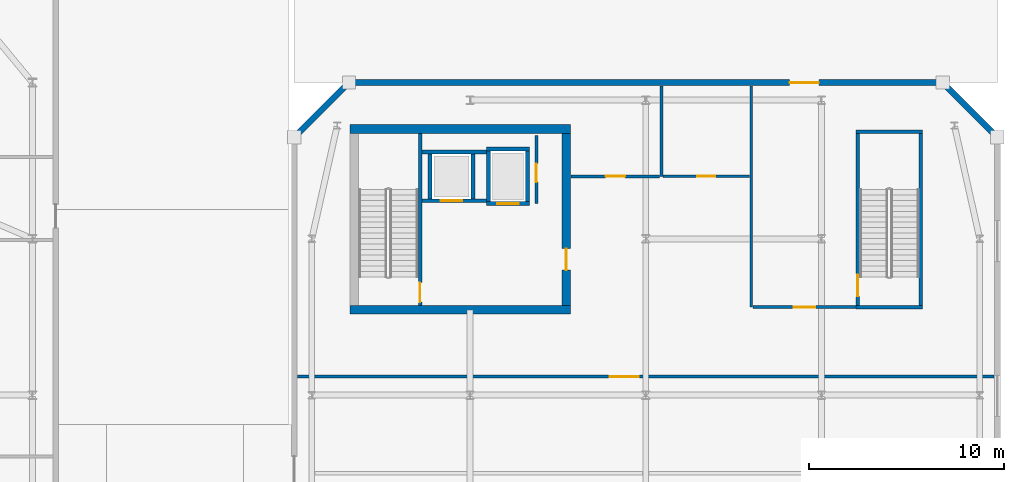
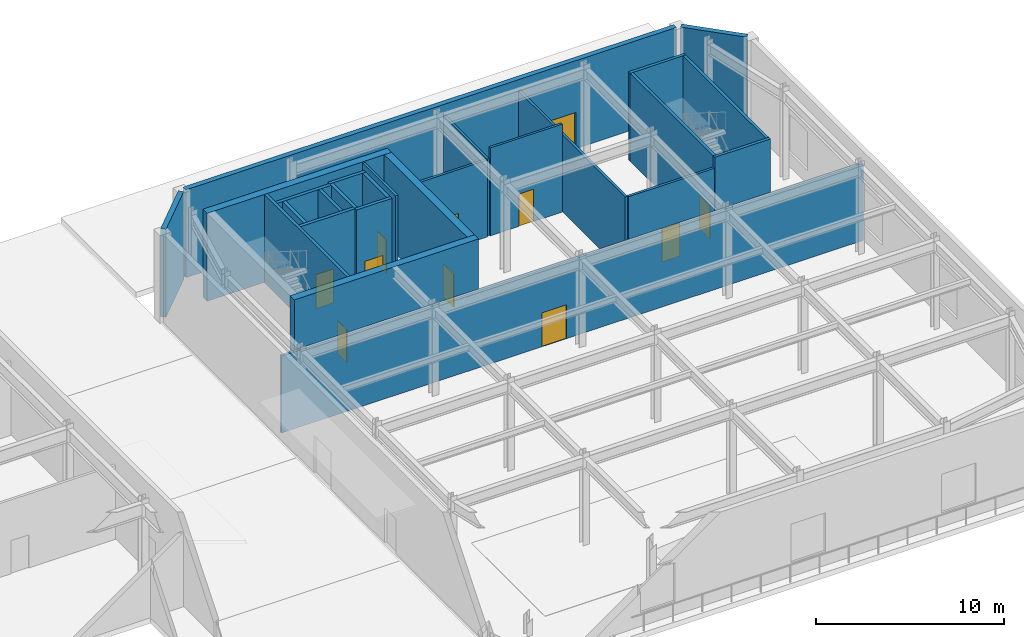
# One storey, part 15 of 23: 26 walls, 11 doors, 11 openings.
"""IFC4 building model written with IfcOpenShell, lengths in metres."""

from ifc_helpers import new_model, si_unit, direction, frame, frame_2d, origin, place, context, subcontext, project, spatial, rectangle, extrude, material, layer, layer_set, type_object, element, fill, save


model = new_model("IFC4")

# Units and contexts
model_context = context("Model", 3, precision=1e-05, world=origin(), true_north=direction((0.0, 1.0)))
body_context = subcontext(model_context, "Body", "Model", "MODEL_VIEW")
ifc_project = project(units=[si_unit("LENGTHUNIT", "METRE"), si_unit("AREAUNIT", "SQUARE_METRE"), si_unit("VOLUMEUNIT", "CUBIC_METRE"), si_unit("PLANEANGLEUNIT", "RADIAN"), si_unit("MASSUNIT", "GRAM", prefix="KILO")], contexts=[model_context])

# Site, building, storey
site_placement = place(None, origin())
site = spatial("IfcSite", under=ifc_project, at=site_placement, CompositionType="ELEMENT")
building_placement = place(site_placement, origin())
building = spatial("IfcBuilding", under=site, at=building_placement, Name="Saevonmaru Cultural Tower", CompositionType="ELEMENT")
storey_placement = place(building_placement, origin())
storey = spatial("IfcBuildingStorey", under=building, at=storey_placement, Name="L00", CompositionType="ELEMENT", Elevation=0.0)

# Wall, opening, door
ifc_material_1 = material(Name="Gypsum Fireboard Partition", Category="gypsum")
ifc_layer_1 = layer(ifc_material_1, 0.14990234375, Name="Gypsum Fireboard Partition")
ifc_layer_set_1 = layer_set([ifc_layer_1], Name="Gypsum Fireboard Partition")
wall_type_1 = type_object("IfcWallType", Name="WL-CORE-PART-150", PredefinedType="PARTITIONING", material=ifc_layer_set_1)
wall_1_placement = place(storey_placement, frame((84.60009765625, 41.800048828125, 0.0), z_axis=(0.0, 0.0, 1.0), x_axis=(0.0, 1.0, 0.0)))
wall_1 = element("IfcWall", 1, at=wall_1_placement, inside=storey, type_object=wall_type_1, Name="L00 Library Core Riser Wall", PredefinedType="PARTITIONING", context=body_context, shape_type="SweptSolid", body=[
    extrude(rectangle(XDim=3.5, YDim=0.14990234375, at=frame_2d((1.75, 0.0))), origin(), (0.0, 0.0, 1.0), 5.699951171875),
])
opening_1_placement = place(wall_1_placement, frame((1.10009765625, 0.0, 0.0)))
opening_1 = element("IfcOpeningElement", 2, at=opening_1_placement, cuts=wall_1, Name="Opening FD-4", PredefinedType="OPENING", context=body_context, shape_type="SweptSolid", body=[
    extrude(rectangle(XDim=0.949951171875, YDim=2.14990234375, at=frame_2d((0.47509765625, 1.074951171875))), frame((0.0, 0.0849609375, 0.0), z_axis=(0.0, -1.0, 0.0), x_axis=(1.0, 0.0, 0.0)), (0.0, 0.0, 1.0), 0.169921875),
])
ifc_material_2 = material(Name="Satin Bronze Anodised Aluminium", Category="aluminium")
door_type_1 = type_object("IfcDoorType", Name="DR-FD60-950", OperationType="SINGLE_SWING_LEFT", PredefinedType="DOOR", material=ifc_material_2)
door_1_placement = place(opening_1_placement, origin())
door_1 = element("IfcDoor", 3, at=door_1_placement, inside=storey, type_object=door_type_1, Name="L00 Library Core Riser Plant Door", OperationType="SINGLE_SWING_LEFT", OverallHeight=2.14990234375, OverallWidth=0.949951171875, PredefinedType="DOOR", context=body_context, shape_type="SweptSolid", body=[
    extrude(rectangle(XDim=0.949951171875, YDim=2.14990234375, at=frame_2d((0.47509765625, 1.074951171875))), frame((0.0, 0.02490234375, 0.0), z_axis=(0.0, -1.0, 0.0), x_axis=(1.0, 0.0, 0.0)), (0.0, 0.0, 1.0), 0.050048828125),
])
fill(opening_1, door_1)

# Wall
ifc_material_3 = material(Name="Warm Limestone Precast Concrete C40/50", Category="masonry")
ifc_layer_2 = layer(ifc_material_3, 0.300048828125, Name="Warm Limestone Precast Concrete C40/50")
ifc_layer_set_2 = layer_set([ifc_layer_2], Name="Warm Limestone Precast Concrete C40/50")
wall_type_2 = type_object("IfcWallType", Name="WL-EXT-LIB-300", PredefinedType="STANDARD", material=ifc_layer_set_2)
wall_2_placement = place(storey_placement, frame((105.51318359375, 47.886962890625, 0.0), z_axis=(0.0, 0.0, 1.0), x_axis=(0.707073244381, -0.707140316402, 0.0)))
element("IfcWall", 4, at=wall_2_placement, inside=storey, type_object=wall_type_2, Name="L00 Central Library Fluted Stone Wall E5", PredefinedType="STANDARD", context=body_context, shape_type="SweptSolid", body=[
    extrude(rectangle(XDim=3.639892578125, YDim=0.300048828125, at=frame_2d((1.81982421875, 0.0))), origin(), (0.0, 0.0, 1.0), 5.699951171875),
])

# Wall, opening, door
wall_3_placement = place(storey_placement, frame((75.159912109375, 48.0, 0.0), z_axis=(0.0, 0.0, 1.0), x_axis=(1.0, 0.0, 0.0)))
wall_3 = element("IfcWall", 5, at=wall_3_placement, inside=storey, type_object=wall_type_2, Name="L00 Central Library Fluted Stone Wall E6", PredefinedType="STANDARD", context=body_context, shape_type="SweptSolid", body=[
    extrude(rectangle(XDim=30.080078125, YDim=0.300048828125, at=frame_2d((15.0400390625, 0.0))), origin(), (0.0, 0.0, 1.0), 5.699951171875),
])
opening_2_placement = place(wall_3_placement, frame((22.39990234375, 0.0, 0.0)))
opening_2 = element("IfcOpeningElement", 6, at=opening_2_placement, cuts=wall_3, Name="Opening EXD-1B", PredefinedType="OPENING", context=body_context, shape_type="SweptSolid", body=[
    extrude(rectangle(XDim=1.5, YDim=2.35009765625, at=frame_2d((0.75, 1.175048828125))), frame((0.0, 0.16015625, 0.0), z_axis=(0.0, -1.0, 0.0), x_axis=(1.0, 0.0, 0.0)), (0.0, 0.0, 1.0), 0.320068359375),
])
door_type_2 = type_object("IfcDoorType", Name="DR-EXIT-1500", OperationType="DOUBLE_DOOR_SINGLE_SWING", PredefinedType="DOOR", material=ifc_material_2)
door_2_placement = place(opening_2_placement, origin())
door_2 = element("IfcDoor", 7, at=door_2_placement, inside=storey, type_object=door_type_2, Name="Central Library North Forecourt Exit Door EX-07", OperationType="DOUBLE_DOOR_SINGLE_SWING", OverallHeight=2.35009765625, OverallWidth=1.5, PredefinedType="DOOR", context=body_context, shape_type="SweptSolid", body=[
    extrude(rectangle(XDim=1.5, YDim=2.35009765625, at=frame_2d((0.75, 1.175048828125))), frame((0.0, 0.02490234375, 0.0), z_axis=(0.0, -1.0, 0.0), x_axis=(1.0, 0.0, 0.0)), (0.0, 0.0, 1.0), 0.050048828125),
])
fill(opening_2, door_2)

# Walls
wall_4_placement = place(storey_placement, frame((72.31298828125, 45.31298828125, 0.0), z_axis=(0.0, 0.0, 1.0), x_axis=(0.707106781187, 0.707106781187, 0.0)))
element("IfcWall", 8, at=wall_4_placement, inside=storey, type_object=wall_type_2, Name="L00 Central Library Fluted Stone Wall E7", PredefinedType="STANDARD", context=body_context, shape_type="SweptSolid", body=[
    extrude(rectangle(XDim=3.64013671875, YDim=0.300048828125, at=frame_2d((1.820068359375, 0.0))), origin(), (0.0, 0.0, 1.0), 5.699951171875),
])
ifc_material_4 = material(Name="Concrete C50/60", Category="concrete")
ifc_layer_3 = layer(ifc_material_4, 0.449951171875, Name="Concrete C50/60")
ifc_layer_set_3 = layer_set([ifc_layer_3], Name="Concrete C50/60")
wall_type_3 = type_object("IfcWallType", Name="WL-LCORE-450", PredefinedType="SHEAR", material=ifc_layer_set_3)
for number, where, z_axis, x_axis, name in (
    (9, (75.050048828125, 36.375, 0.0), (0.0, 0.0, 1.0), (1.0, 0.0, 0.0), "L00 Central Library RC core shear wall S"),
    (10, (75.050048828125, 45.625, 0.0), (0.0, 0.0, 1.0), (1.0, 0.0, 0.0), "L00 Central Library RC core shear wall N"),
):
    element("IfcWall", number, at=place(storey_placement, frame(where, z_axis=z_axis, x_axis=x_axis)), inside=storey, type_object=wall_type_3, Name=name, PredefinedType="SHEAR", context=body_context, shape_type="SweptSolid", body=[
        extrude(rectangle(XDim=11.300048828125, YDim=0.449951171875, at=frame_2d((5.64990234375, 0.0))), origin(), (0.0, 0.0, 1.0), 5.699951171875),
    ])

# Wall, opening, door
wall_5_placement = place(storey_placement, frame((86.125, 36.60009765625, 0.0), z_axis=(0.0, 0.0, 1.0), x_axis=(0.0, 1.0, 0.0)))
wall_5 = element("IfcWall", 11, at=wall_5_placement, inside=storey, type_object=wall_type_3, Name="L00 Central Library RC core shear wall E", PredefinedType="SHEAR", context=body_context, shape_type="SweptSolid", body=[
    extrude(rectangle(XDim=8.7998046875, YDim=0.449951171875, at=frame_2d((4.39990234375, 0.0))), origin(), (0.0, 0.0, 1.0), 5.699951171875),
])
opening_3_placement = place(wall_5_placement, frame((1.800048828125, 0.0, 0.0)))
opening_3 = element("IfcOpeningElement", 12, at=opening_3_placement, cuts=wall_5, Name="Opening FD-2", PredefinedType="OPENING", context=body_context, shape_type="SweptSolid", body=[
    extrude(rectangle(XDim=1.10009765625, YDim=2.14990234375, at=frame_2d((0.550048828125, 1.074951171875))), frame((0.0, 0.23486328125, 0.0), z_axis=(0.0, -1.0, 0.0), x_axis=(1.0, 0.0, 0.0)), (0.0, 0.0, 1.0), 0.469970703125),
])
door_type_3 = type_object("IfcDoorType", Name="DR-FD60-1100", OperationType="SINGLE_SWING_LEFT", PredefinedType="DOOR", material=ifc_material_2)
door_3_placement = place(opening_3_placement, origin())
door_3 = element("IfcDoor", 13, at=door_3_placement, inside=storey, type_object=door_type_3, Name="L00 Library Core Lobby Fire Door", OperationType="SINGLE_SWING_LEFT", OverallHeight=2.14990234375, OverallWidth=1.10009765625, PredefinedType="DOOR", context=body_context, shape_type="SweptSolid", body=[
    extrude(rectangle(XDim=1.10009765625, YDim=2.14990234375, at=frame_2d((0.550048828125, 1.074951171875))), frame((0.0, 0.02490234375, 0.0), z_axis=(0.0, -1.0, 0.0), x_axis=(1.0, 0.0, 0.0)), (0.0, 0.0, 1.0), 0.050048828125),
])
fill(opening_3, door_3)

ifc_layer_4 = layer(ifc_material_1, 0.14990234375, Name="Gypsum Fireboard Partition")
ifc_layer_set_4 = layer_set([ifc_layer_4], Name="Gypsum Fireboard Partition")
wall_type_4 = type_object("IfcWallType", Name="WL-PART-FIRE-150", PredefinedType="PARTITIONING", material=ifc_layer_set_4)
wall_6_placement = place(storey_placement, frame((72.3701171875, 32.949951171875, 0.0), z_axis=(0.0, 0.0, 1.0), x_axis=(1.0, 0.0, 0.0)))
wall_6 = element("IfcWall", 14, at=wall_6_placement, inside=storey, type_object=wall_type_4, Name="L00 Library Reading Hall North Wall", PredefinedType="PARTITIONING", context=body_context, shape_type="SweptSolid", body=[
    extrude(rectangle(XDim=35.659912109375, YDim=0.14990234375, at=frame_2d((17.830078125, 0.0))), origin(), (0.0, 0.0, 1.0), 4.985107421875),
])
opening_4_placement = place(wall_6_placement, frame((15.97998046875, 0.0, 0.0)))
opening_4 = element("IfcOpeningElement", 15, at=opening_4_placement, cuts=wall_6, Name="Opening ID-0", PredefinedType="OPENING", context=body_context, shape_type="SweptSolid", body=[
    extrude(rectangle(XDim=1.5, YDim=2.199951171875, at=frame_2d((0.75, 1.10009765625))), frame((0.0, 0.0849609375, 0.0), z_axis=(0.0, -1.0, 0.0), x_axis=(1.0, 0.0, 0.0)), (0.0, 0.0, 1.0), 0.169921875),
])
ifc_material_5 = material(Name="Acoustic Stained Oak Timber", Category="wood")
door_type_4 = type_object("IfcDoorType", Name="DR-INT-1500", OperationType="DOUBLE_DOOR_SINGLE_SWING", PredefinedType="DOOR", material=ifc_material_5)
door_4_placement = place(opening_4_placement, origin())
door_4 = element("IfcDoor", 16, at=door_4_placement, inside=storey, type_object=door_type_4, Name="L00 Main Reading Hall Portal Door", OperationType="DOUBLE_DOOR_SINGLE_SWING", OverallHeight=2.199951171875, OverallWidth=1.5, PredefinedType="DOOR", context=body_context, shape_type="SweptSolid", body=[
    extrude(rectangle(XDim=1.5, YDim=2.199951171875, at=frame_2d((0.75, 1.10009765625))), frame((0.0, 0.02490234375, 0.0), z_axis=(0.0, -1.0, 0.0), x_axis=(1.0, 0.0, 0.0)), (0.0, 0.0, 1.0), 0.050048828125),
])
fill(opening_4, door_4)

# Wall
wall_7_placement = place(storey_placement, frame((95.60009765625, 36.510009765625, 0.0), z_axis=(0.0, 0.0, 1.0), x_axis=(0.0, 1.0, 0.0)))
element("IfcWall", 17, at=wall_7_placement, inside=storey, type_object=wall_type_4, Name="L00 Library East Exit Passageway West Wall", PredefinedType="PARTITIONING", context=body_context, shape_type="SweptSolid", body=[
    extrude(rectangle(XDim=11.320068359375, YDim=0.14990234375, at=frame_2d((5.66015625, 0.0))), origin(), (0.0, 0.0, 1.0), 4.985107421875),
])

# Wall, opening, door
wall_8_placement = place(storey_placement, frame((95.695068359375, 36.510009765625, 0.0), z_axis=(0.0, 0.0, 1.0), x_axis=(1.0, 0.0, 0.0)))
wall_8 = element("IfcWall", 18, at=wall_8_placement, inside=storey, type_object=wall_type_4, Name="L00 Library East Exit Passageway South Wall", PredefinedType="PARTITIONING", context=body_context, shape_type="SweptSolid", body=[
    extrude(rectangle(XDim=5.27490234375, YDim=0.14990234375, at=frame_2d((2.637451171875, 0.0))), origin(), (0.0, 0.0, 1.0), 4.985107421875),
])
opening_5_placement = place(wall_8_placement, frame((2.087890625, 0.0, 0.0)))
opening_5 = element("IfcOpeningElement", 19, at=opening_5_placement, cuts=wall_8, Name="Opening FD-2", PredefinedType="OPENING", context=body_context, shape_type="SweptSolid", body=[
    extrude(rectangle(XDim=1.10009765625, YDim=2.14990234375, at=frame_2d((0.550048828125, 1.074951171875))), frame((0.0, 0.0849609375, 0.0), z_axis=(0.0, -1.0, 0.0), x_axis=(1.0, 0.0, 0.0)), (0.0, 0.0, 1.0), 0.169921875),
])
door_5_placement = place(opening_5_placement, origin())
door_5 = element("IfcDoor", 20, at=door_5_placement, inside=storey, type_object=door_type_3, Name="L00 Library East Exit Passageway Vestibule Door", OperationType="SINGLE_SWING_LEFT", OverallHeight=2.14990234375, OverallWidth=1.10009765625, PredefinedType="DOOR", context=body_context, shape_type="SweptSolid", body=[
    extrude(rectangle(XDim=1.10009765625, YDim=2.14990234375, at=frame_2d((0.550048828125, 1.074951171875))), frame((0.0, 0.02490234375, 0.0), z_axis=(0.0, -1.0, 0.0), x_axis=(1.0, 0.0, 0.0)), (0.0, 0.0, 1.0), 0.050048828125),
])
fill(opening_5, door_5)

wall_9_placement = place(storey_placement, frame((86.3701171875, 43.199951171875, 0.0), z_axis=(0.0, 0.0, 1.0), x_axis=(1.0, 0.0, 0.0)))
wall_9 = element("IfcWall", 21, at=wall_9_placement, inside=storey, type_object=wall_type_4, Name="L00 Library Rare Book Room Wall", PredefinedType="PARTITIONING", context=body_context, shape_type="SweptSolid", body=[
    extrude(rectangle(XDim=4.539794921875, YDim=0.14990234375, at=frame_2d((2.27001953125, 0.0))), origin(), (0.0, 0.0, 1.0), 4.985107421875),
])
opening_6_placement = place(wall_9_placement, frame((1.77001953125, 0.0, 0.0)))
opening_6 = element("IfcOpeningElement", 22, at=opening_6_placement, cuts=wall_9, Name="Opening FD-3", PredefinedType="OPENING", context=body_context, shape_type="SweptSolid", body=[
    extrude(rectangle(XDim=1.0, YDim=2.14990234375, at=frame_2d((0.5, 1.074951171875))), frame((0.0, 0.0849609375, 0.0), z_axis=(0.0, -1.0, 0.0), x_axis=(1.0, 0.0, 0.0)), (0.0, 0.0, 1.0), 0.169921875),
])
door_type_5 = type_object("IfcDoorType", Name="DR-FD60-1000", OperationType="SINGLE_SWING_RIGHT", PredefinedType="DOOR", material=ifc_material_2)
door_6_placement = place(opening_6_placement, origin())
door_6 = element("IfcDoor", 23, at=door_6_placement, inside=storey, type_object=door_type_5, Name="L00 Rare Book Archive Door", OperationType="SINGLE_SWING_RIGHT", OverallHeight=2.14990234375, OverallWidth=1.0, PredefinedType="DOOR", context=body_context, shape_type="SweptSolid", body=[
    extrude(rectangle(XDim=1.0, YDim=2.14990234375, at=frame_2d((0.5, 1.074951171875))), frame((0.0, 0.02490234375, 0.0), z_axis=(0.0, -1.0, 0.0), x_axis=(1.0, 0.0, 0.0)), (0.0, 0.0, 1.0), 0.050048828125),
])
fill(opening_6, door_6)

# Wall
ifc_layer_5 = layer(ifc_material_1, 0.139892578125, Name="Gypsum Fireboard Partition")
ifc_layer_set_5 = layer_set([ifc_layer_5], Name="Gypsum Fireboard Partition")
wall_type_5 = type_object("IfcWallType", Name="WL-PART-WET-140", PredefinedType="PARTITIONING", material=ifc_layer_set_5)
wall_10_placement = place(storey_placement, frame((91.0, 43.199951171875, 0.0), z_axis=(0.0, 0.0, 1.0), x_axis=(0.0, 1.0, 0.0)))
element("IfcWall", 24, at=wall_10_placement, inside=storey, type_object=wall_type_5, Name="L00 Library Archive-Washroom Divider", PredefinedType="PARTITIONING", context=body_context, shape_type="SweptSolid", body=[
    extrude(rectangle(XDim=4.630126953125, YDim=0.139892578125, at=frame_2d((2.31494140625, 0.0))), origin(), (0.0, 0.0, 1.0), 4.985107421875),
])

# Wall, opening, door
wall_11_placement = place(storey_placement, frame((91.090087890625, 43.199951171875, 0.0), z_axis=(0.0, 0.0, 1.0), x_axis=(1.0, 0.0, 0.0)))
wall_11 = element("IfcWall", 25, at=wall_11_placement, inside=storey, type_object=wall_type_5, Name="L00 Library Washroom Wall", PredefinedType="PARTITIONING", context=body_context, shape_type="SweptSolid", body=[
    extrude(rectangle(XDim=4.414794921875, YDim=0.139892578125, at=frame_2d((2.20751953125, 0.0))), origin(), (0.0, 0.0, 1.0), 5.699951171875),
])
opening_7_placement = place(wall_11_placement, frame((1.757080078125, 0.0, 0.0)))
opening_7 = element("IfcOpeningElement", 26, at=opening_7_placement, cuts=wall_11, Name="Opening ID-2", PredefinedType="OPENING", context=body_context, shape_type="SweptSolid", body=[
    extrude(rectangle(XDim=0.89990234375, YDim=2.10009765625, at=frame_2d((0.449951171875, 1.050048828125))), frame((0.0, 0.080078125, 0.0), z_axis=(0.0, -1.0, 0.0), x_axis=(1.0, 0.0, 0.0)), (0.0, 0.0, 1.0), 0.159912109375),
])
door_type_6 = type_object("IfcDoorType", Name="DR-INT-900", OperationType="SINGLE_SWING_RIGHT", PredefinedType="DOOR", material=ifc_material_5)
door_7_placement = place(opening_7_placement, origin())
door_7 = element("IfcDoor", 27, at=door_7_placement, inside=storey, type_object=door_type_6, Name="L00 Library Accessible Washroom Door", OperationType="SINGLE_SWING_LEFT", OverallHeight=2.10009765625, OverallWidth=0.89990234375, PredefinedType="DOOR", context=body_context, shape_type="SweptSolid", body=[
    extrude(rectangle(XDim=0.89990234375, YDim=2.10009765625, at=frame_2d((0.449951171875, 1.050048828125))), frame((0.0, 0.02490234375, 0.0), z_axis=(0.0, -1.0, 0.0), x_axis=(1.0, 0.0, 0.0)), (0.0, 0.0, 1.0), 0.050048828125),
])
fill(opening_7, door_7)

ifc_material_6 = material(Name="Concrete C40/50", Category="concrete")
ifc_layer_6 = layer(ifc_material_6, 0.199951171875, Name="Concrete C40/50")
ifc_layer_set_6 = layer_set([ifc_layer_6], Name="Concrete C40/50")
wall_type_6 = type_object("IfcWallType", Name="WL-SHAFT-200", PredefinedType="SHEAR", material=ifc_layer_set_6)
wall_12_placement = place(storey_placement, frame((78.72998046875, 41.949951171875, 0.0), z_axis=(0.0, 0.0, 1.0), x_axis=(1.0, 0.0, 0.0)))
wall_12 = element("IfcWall", 28, at=wall_12_placement, inside=storey, type_object=wall_type_6, Name="L00 Lift LLF-1 Hoistway Wall S", PredefinedType="SHEAR", context=body_context, shape_type="SweptSolid", body=[
    extrude(rectangle(XDim=3.320068359375, YDim=0.199951171875, at=frame_2d((1.66015625, 0.0))), origin(), (0.0, 0.0, 1.0), 5.699951171875),
])
opening_8_placement = place(wall_12_placement, frame((0.969970703125, 0.0, 0.0)))
opening_8 = element("IfcOpeningElement", 29, at=opening_8_placement, cuts=wall_12, Name="Opening LD-1", PredefinedType="OPENING", context=body_context, shape_type="SweptSolid", body=[
    extrude(rectangle(XDim=1.10009765625, YDim=2.199951171875, at=frame_2d((0.550048828125, 1.10009765625))), frame((0.0, 0.10986328125, 0.0), z_axis=(0.0, -1.0, 0.0), x_axis=(1.0, 0.0, 0.0)), (0.0, 0.0, 1.0), 0.219970703125),
])
ifc_material_7 = material(Name="Satin Bronze Stainless Steel", Category="steel")
door_type_7 = type_object("IfcDoorType", Name="DR-LIFT-1100", OperationType="SLIDING_TO_LEFT", PredefinedType="DOOR", material=ifc_material_7)
door_8_placement = place(opening_8_placement, origin())
door_8 = element("IfcDoor", 30, at=door_8_placement, inside=storey, type_object=door_type_7, Name="L00 Lift LLF-1 Sliding Landing Door", OperationType="SLIDING_TO_LEFT", OverallHeight=2.199951171875, OverallWidth=1.10009765625, PredefinedType="DOOR", context=body_context, shape_type="SweptSolid", body=[
    extrude(rectangle(XDim=1.10009765625, YDim=2.199951171875, at=frame_2d((0.550048828125, 1.10009765625))), frame((0.0, 0.02490234375, 0.0), z_axis=(0.0, -1.0, 0.0), x_axis=(1.0, 0.0, 0.0)), (0.0, 0.0, 1.0), 0.050048828125),
])
fill(opening_8, door_8)

# Walls
wall_13_placement = place(storey_placement, frame((78.72998046875, 44.449951171875, 0.0), z_axis=(0.0, 0.0, 1.0), x_axis=(1.0, 0.0, 0.0)))
element("IfcWall", 31, at=wall_13_placement, inside=storey, type_object=wall_type_6, Name="L00 Lift LLF-1 Hoistway Wall N", PredefinedType="SHEAR", context=body_context, shape_type="SweptSolid", body=[
    extrude(rectangle(XDim=3.320068359375, YDim=0.199951171875, at=frame_2d((1.66015625, 0.0))), origin(), (0.0, 0.0, 1.0), 5.699951171875),
])
for number, where, z_axis, x_axis, name in (
    (32, (79.14990234375, 42.050048828125, 0.0), (0.0, 0.0, 1.0), (0.0, 1.0, 0.0), "L00 Lift LLF-1 Hoistway Wall W"),
    (33, (81.35009765625, 42.050048828125, 0.0), (0.0, 0.0, 1.0), (0.0, 1.0, 0.0), "L00 Lift LLF-1 Hoistway Wall E"),
):
    element("IfcWall", number, at=place(storey_placement, frame(where, z_axis=z_axis, x_axis=x_axis)), inside=storey, type_object=wall_type_6, Name=name, PredefinedType="SHEAR", context=body_context, shape_type="SweptSolid", body=[
        extrude(rectangle(XDim=2.300048828125, YDim=0.199951171875, at=frame_2d((1.14990234375, 0.0))), origin(), (0.0, 0.0, 1.0), 5.699951171875),
    ])

# Wall, opening, door
wall_14_placement = place(storey_placement, frame((82.050048828125, 41.800048828125, 0.0), z_axis=(0.0, 0.0, 1.0), x_axis=(1.0, 0.0, 0.0)))
wall_14 = element("IfcWall", 34, at=wall_14_placement, inside=storey, type_object=wall_type_6, Name="L00 Lift LLF-2 Hoistway Wall S", PredefinedType="SHEAR", context=body_context, shape_type="SweptSolid", body=[
    extrude(rectangle(XDim=2.199951171875, YDim=0.199951171875, at=frame_2d((1.10009765625, 0.0))), origin(), (0.0, 0.0, 1.0), 5.699951171875),
])
opening_9_placement = place(wall_14_placement, frame((0.550048828125, 0.0, 0.0)))
opening_9 = element("IfcOpeningElement", 35, at=opening_9_placement, cuts=wall_14, Name="Opening LD-1", PredefinedType="OPENING", context=body_context, shape_type="SweptSolid", body=[
    extrude(rectangle(XDim=1.10009765625, YDim=2.199951171875, at=frame_2d((0.550048828125, 1.10009765625))), frame((0.0, 0.10986328125, 0.0), z_axis=(0.0, -1.0, 0.0), x_axis=(1.0, 0.0, 0.0)), (0.0, 0.0, 1.0), 0.219970703125),
])
door_9_placement = place(opening_9_placement, origin())
door_9 = element("IfcDoor", 36, at=door_9_placement, inside=storey, type_object=door_type_7, Name="L00 Lift LLF-2 Sliding Landing Door", OperationType="SLIDING_TO_LEFT", OverallHeight=2.199951171875, OverallWidth=1.10009765625, PredefinedType="DOOR", context=body_context, shape_type="SweptSolid", body=[
    extrude(rectangle(XDim=1.10009765625, YDim=2.199951171875, at=frame_2d((0.550048828125, 1.10009765625))), frame((0.0, 0.02490234375, 0.0), z_axis=(0.0, -1.0, 0.0), x_axis=(1.0, 0.0, 0.0)), (0.0, 0.0, 1.0), 0.050048828125),
])
fill(opening_9, door_9)

# Walls
wall_15_placement = place(storey_placement, frame((82.050048828125, 44.60009765625, 0.0), z_axis=(0.0, 0.0, 1.0), x_axis=(1.0, 0.0, 0.0)))
element("IfcWall", 37, at=wall_15_placement, inside=storey, type_object=wall_type_6, Name="L00 Lift LLF-2 Hoistway Wall N", PredefinedType="SHEAR", context=body_context, shape_type="SweptSolid", body=[
    extrude(rectangle(XDim=2.199951171875, YDim=0.199951171875, at=frame_2d((1.10009765625, 0.0))), origin(), (0.0, 0.0, 1.0), 5.699951171875),
])
for number, where, z_axis, x_axis, name in (
    (38, (82.14990234375, 41.89990234375, 0.0), (0.0, 0.0, 1.0), (0.0, 1.0, 0.0), "L00 Lift LLF-2 Hoistway Wall W"),
    (39, (84.14990234375, 41.89990234375, 0.0), (0.0, 0.0, 1.0), (0.0, 1.0, 0.0), "L00 Lift LLF-2 Hoistway Wall E"),
):
    element("IfcWall", number, at=place(storey_placement, frame(where, z_axis=z_axis, x_axis=x_axis)), inside=storey, type_object=wall_type_6, Name=name, PredefinedType="SHEAR", context=body_context, shape_type="SweptSolid", body=[
        extrude(rectangle(XDim=2.60009765625, YDim=0.199951171875, at=frame_2d((1.300048828125, 0.0))), origin(), (0.0, 0.0, 1.0), 5.699951171875),
    ])

# Wall, opening, door
ifc_layer_7 = layer(ifc_material_6, 0.179931640625, Name="Concrete C40/50")
ifc_layer_set_7 = layer_set([ifc_layer_7], Name="Concrete C40/50")
wall_type_7 = type_object("IfcWallType", Name="WL-STSHAFT-180", PredefinedType="SHEAR", material=ifc_layer_set_7)
wall_16_placement = place(storey_placement, frame((78.639892578125, 36.60009765625, 0.0), z_axis=(0.0, 0.0, 1.0), x_axis=(0.0, 1.0, 0.0)))
wall_16 = element("IfcWall", 40, at=wall_16_placement, inside=storey, type_object=wall_type_7, Name="L00 Stair LST-1 Structural Shaft Wall 1", PredefinedType="SHEAR", context=body_context, shape_type="SweptSolid", body=[
    extrude(rectangle(XDim=8.7998046875, YDim=0.179931640625, at=frame_2d((4.39990234375, 0.0))), origin(), (0.0, 0.0, 1.0), 5.699951171875),
])
opening_10_placement = place(wall_16_placement, frame((0.159912109375, 0.0, 0.0)))
opening_10 = element("IfcOpeningElement", 41, at=opening_10_placement, cuts=wall_16, Name="Opening FD-3", PredefinedType="OPENING", context=body_context, shape_type="SweptSolid", body=[
    extrude(rectangle(XDim=1.0, YDim=2.14990234375, at=frame_2d((0.5, 1.074951171875))), frame((0.0, 0.10009765625, 0.0), z_axis=(0.0, -1.0, 0.0), x_axis=(1.0, 0.0, 0.0)), (0.0, 0.0, 1.0), 0.199951171875),
])
door_10_placement = place(opening_10_placement, origin())
door_10 = element("IfcDoor", 42, at=door_10_placement, inside=storey, type_object=door_type_5, Name="L00 Protected Stair LST-1 Fire Door", OperationType="SINGLE_SWING_RIGHT", OverallHeight=2.14990234375, OverallWidth=1.0, PredefinedType="DOOR", context=body_context, shape_type="SweptSolid", body=[
    extrude(rectangle(XDim=1.0, YDim=2.14990234375, at=frame_2d((0.5, 1.074951171875))), frame((0.0, 0.02490234375, 0.0), z_axis=(0.0, -1.0, 0.0), x_axis=(1.0, 0.0, 0.0)), (0.0, 0.0, 1.0), 0.050048828125),
])
fill(opening_10, door_10)

wall_17_placement = place(storey_placement, frame((101.06005859375, 45.39990234375, 0.0), z_axis=(0.0, 0.0, 1.0), x_axis=(0.0, -1.0, 0.0)))
wall_17 = element("IfcWall", 43, at=wall_17_placement, inside=storey, type_object=wall_type_7, Name="L00 Stair LST-2 Structural Shaft Wall 1", PredefinedType="SHEAR", context=body_context, shape_type="SweptSolid", body=[
    extrude(rectangle(XDim=8.7998046875, YDim=0.179931640625, at=frame_2d((4.39990234375, 0.0))), origin(), (0.0, 0.0, 1.0), 5.699951171875),
])
opening_11_placement = place(wall_17_placement, frame((7.25, 0.0, 0.0)))
opening_11 = element("IfcOpeningElement", 44, at=opening_11_placement, cuts=wall_17, Name="Opening FD-2", PredefinedType="OPENING", context=body_context, shape_type="SweptSolid", body=[
    extrude(rectangle(XDim=1.10009765625, YDim=2.14990234375, at=frame_2d((0.550048828125, 1.074951171875))), frame((0.0, 0.10009765625, 0.0), z_axis=(0.0, -1.0, 0.0), x_axis=(1.0, 0.0, 0.0)), (0.0, 0.0, 1.0), 0.199951171875),
])
door_11_placement = place(opening_11_placement, origin())
door_11 = element("IfcDoor", 45, at=door_11_placement, inside=storey, type_object=door_type_3, Name="L00 Protected Stair LST-2 Fire Door", OperationType="SINGLE_SWING_LEFT", OverallHeight=2.14990234375, OverallWidth=1.10009765625, PredefinedType="DOOR", context=body_context, shape_type="SweptSolid", body=[
    extrude(rectangle(XDim=1.10009765625, YDim=2.14990234375, at=frame_2d((0.550048828125, 1.074951171875))), frame((0.0, 0.02490234375, 0.0), z_axis=(0.0, -1.0, 0.0), x_axis=(1.0, 0.0, 0.0)), (0.0, 0.0, 1.0), 0.050048828125),
])
fill(opening_11, door_11)

# Walls
wall_18_placement = place(storey_placement, frame((100.969970703125, 36.510009765625, 0.0), z_axis=(0.0, 0.0, 1.0), x_axis=(1.0, 0.0, 0.0)))
element("IfcWall", 46, at=wall_18_placement, inside=storey, type_object=wall_type_7, Name="L00 Stair LST-2 Structural Shaft Wall 2", PredefinedType="SHEAR", context=body_context, shape_type="SweptSolid", body=[
    extrude(rectangle(XDim=3.409912109375, YDim=0.179931640625, at=frame_2d((1.705078125, 0.0))), origin(), (0.0, 0.0, 1.0), 5.699951171875),
])
wall_19_placement = place(storey_placement, frame((104.2900390625, 36.60009765625, 0.0), z_axis=(0.0, 0.0, 1.0), x_axis=(0.0, 1.0, 0.0)))
element("IfcWall", 47, at=wall_19_placement, inside=storey, type_object=wall_type_7, Name="L00 Stair LST-2 Structural Shaft Wall 3", PredefinedType="SHEAR", context=body_context, shape_type="SweptSolid", body=[
    extrude(rectangle(XDim=8.7998046875, YDim=0.179931640625, at=frame_2d((4.39990234375, 0.0))), origin(), (0.0, 0.0, 1.0), 5.699951171875),
])
wall_20_placement = place(storey_placement, frame((104.3798828125, 45.489990234375, 0.0), z_axis=(0.0, 0.0, 1.0), x_axis=(-1.0, 0.0, 0.0)))
element("IfcWall", 48, at=wall_20_placement, inside=storey, type_object=wall_type_7, Name="L00 Stair LST-2 Structural Shaft Wall 4", PredefinedType="SHEAR", context=body_context, shape_type="SweptSolid", body=[
    extrude(rectangle(XDim=3.409912109375, YDim=0.179931640625, at=frame_2d((1.705078125, 0.0))), origin(), (0.0, 0.0, 1.0), 5.699951171875),
])

save(model, "model.ifc")
